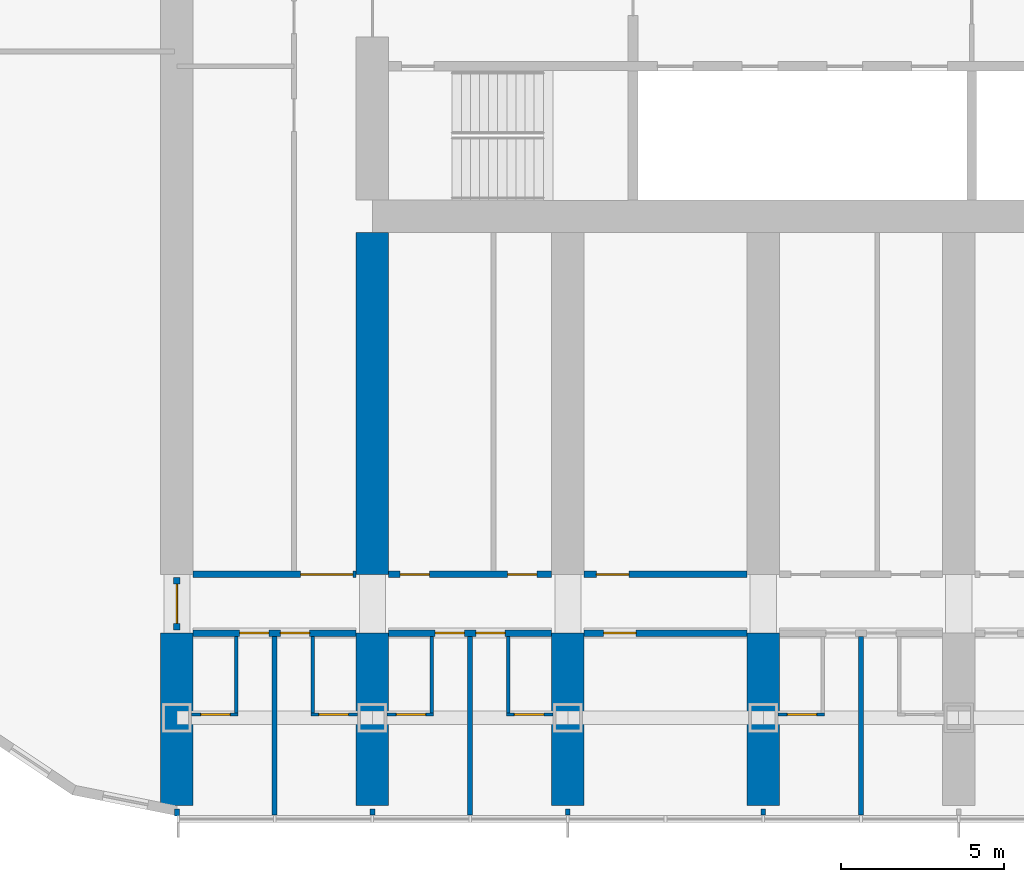
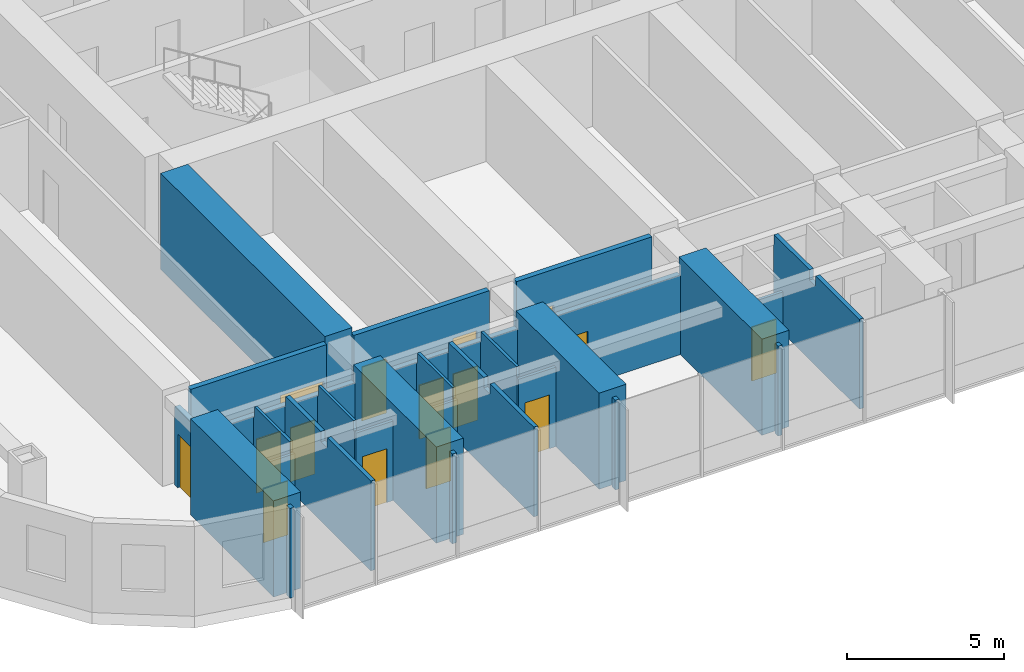
# One storey, part 12 of 28: 28 walls, 15 doors, 15 openings.
"""IFC4 building model written with IfcOpenShell, lengths in metres."""

from ifc_helpers import new_model, si_unit, direction, frame, frame_2d, origin, place, context, subcontext, project, spatial, polyline, rectangle, outline, extrude, material, layer, layer_set, type_object, element, fill, save


model = new_model("IFC4")

# Units and contexts
model_context = context("Model", 3, precision=1e-05, world=origin(), true_north=direction((0.0, 1.0)))
body_context = subcontext(model_context, "Body", "Model", "MODEL_VIEW")
ifc_project = project(units=[si_unit("LENGTHUNIT", "METRE"), si_unit("AREAUNIT", "SQUARE_METRE"), si_unit("VOLUMEUNIT", "CUBIC_METRE"), si_unit("PLANEANGLEUNIT", "RADIAN"), si_unit("MASSUNIT", "GRAM", prefix="KILO")], contexts=[model_context])

# Site, building, storey
site_placement = place(None, origin())
site = spatial("IfcSite", under=ifc_project, at=site_placement, CompositionType="ELEMENT")
building_placement = place(site_placement, origin())
building = spatial("IfcBuilding", under=site, at=building_placement, Name="Orbita Commons", CompositionType="ELEMENT")
storey_placement = place(building_placement, frame((0.0, 0.0, 23.949951171875)))
storey = spatial("IfcBuildingStorey", under=building, at=storey_placement, Name="L05", CompositionType="ELEMENT", Elevation=23.949951171875)

# Wall, openings, doors
ifc_material_1 = material(Name="Concrete blockwork", Category="masonry")
ifc_layer_1 = layer(ifc_material_1, 0.199951171875)
ifc_layer_set_1 = layer_set([ifc_layer_1], Name="Concrete blockwork")
wall_type_1 = type_object("IfcWallType", Name="Corridor wall 200 blockwork", PredefinedType="SOLIDWALL", material=ifc_layer_set_1)
wall_1_placement = place(storey_placement, frame((12.5, 13.0, 0.0), z_axis=(0.0, 0.0, 1.0), x_axis=(1.0, 0.0, 0.0)))
wall_1 = element("IfcWall", 1, at=wall_1_placement, inside=storey, type_object=wall_type_1, Name="Corridor wall 200 blockwork L05", PredefinedType="SOLIDWALL", context=body_context, shape_type="SweptSolid", body=[
    extrude(outline(polyline([(0.0, 0.0), (5.0, 0.0), (5.0, 3.10009765625), (0.0, 3.10009765625), (0.0, 0.0)])), frame((0.0, 0.10009765625, 0.0), z_axis=(0.0, -1.0, 0.0), x_axis=(1.0, 0.0, 0.0)), (0.0, 0.0, 1.0), 0.199951171875),
])
opening_1_placement = place(wall_1_placement, frame((1.425048828125, 0.0, 0.0)))
opening_1 = element("IfcOpeningElement", 2, at=opening_1_placement, cuts=wall_1, Name="Opening D11", PredefinedType="OPENING", context=body_context, shape_type="SweptSolid", body=[
    extrude(rectangle(XDim=0.89990234375, YDim=2.10009765625, at=frame_2d((0.449951171875, 1.050048828125))), frame((0.0, 0.10986328125, 0.0), z_axis=(0.0, -1.0, 0.0), x_axis=(1.0, 0.0, 0.0)), (0.0, 0.0, 1.0), 0.219970703125),
])
opening_2_placement = place(wall_1_placement, frame((2.675048828125, 0.0, 0.0)))
opening_2 = element("IfcOpeningElement", 3, at=opening_2_placement, cuts=wall_1, Name="Opening D11", PredefinedType="OPENING", context=body_context, shape_type="SweptSolid", body=[
    extrude(rectangle(XDim=0.89990234375, YDim=2.10009765625, at=frame_2d((0.449951171875, 1.050048828125))), frame((0.0, 0.10986328125, 0.0), z_axis=(0.0, -1.0, 0.0), x_axis=(1.0, 0.0, 0.0)), (0.0, 0.0, 1.0), 0.219970703125),
])
ifc_material_2 = material(Name="Steel-faced fire door leaf", Category="steel")
door_type_1 = type_object("IfcDoorType", Name="Corridor door 20 min 900x2100", OperationType="SINGLE_SWING_LEFT", PredefinedType="DOOR", material=ifc_material_2)
door_1_placement = place(opening_1_placement, origin())
door_1 = element("IfcDoor", 4, at=door_1_placement, inside=storey, type_object=door_type_1, Name="House bedroom L05-S00 door", OperationType="SINGLE_SWING_LEFT", OverallHeight=2.10009765625, OverallWidth=0.89990234375, PredefinedType="DOOR", context=body_context, shape_type="SweptSolid", body=[
    extrude(rectangle(XDim=0.89990234375, YDim=2.10009765625, at=frame_2d((0.449951171875, 1.050048828125))), frame((0.0, 0.02490234375, 0.0), z_axis=(0.0, -1.0, 0.0), x_axis=(1.0, 0.0, 0.0)), (0.0, 0.0, 1.0), 0.050048828125),
])
fill(opening_1, door_1)
door_2_placement = place(opening_2_placement, origin())
door_2 = element("IfcDoor", 5, at=door_2_placement, inside=storey, type_object=door_type_1, Name="House bedroom L05-S01 door", OperationType="SINGLE_SWING_LEFT", OverallHeight=2.10009765625, OverallWidth=0.89990234375, PredefinedType="DOOR", context=body_context, shape_type="SweptSolid", body=[
    extrude(rectangle(XDim=0.89990234375, YDim=2.10009765625, at=frame_2d((0.449951171875, 1.050048828125))), frame((0.0, 0.02490234375, 0.0), z_axis=(0.0, -1.0, 0.0), x_axis=(1.0, 0.0, 0.0)), (0.0, 0.0, 1.0), 0.050048828125),
])
fill(opening_2, door_2)

wall_2_placement = place(storey_placement, frame((18.5, 13.0, 0.0), z_axis=(0.0, 0.0, 1.0), x_axis=(1.0, 0.0, 0.0)))
wall_2 = element("IfcWall", 6, at=wall_2_placement, inside=storey, type_object=wall_type_1, Name="Corridor wall 200 blockwork L05", PredefinedType="SOLIDWALL", context=body_context, shape_type="SweptSolid", body=[
    extrude(outline(polyline([(0.0, 0.0), (5.0, 0.0), (5.0, 3.10009765625), (0.0, 3.10009765625), (0.0, 0.0)])), frame((0.0, 0.10009765625, 0.0), z_axis=(0.0, -1.0, 0.0), x_axis=(1.0, 0.0, 0.0)), (0.0, 0.0, 1.0), 0.199951171875),
])
opening_3_placement = place(wall_2_placement, frame((1.425048828125, 0.0, 0.0)))
opening_3 = element("IfcOpeningElement", 7, at=opening_3_placement, cuts=wall_2, Name="Opening D11", PredefinedType="OPENING", context=body_context, shape_type="SweptSolid", body=[
    extrude(rectangle(XDim=0.89990234375, YDim=2.10009765625, at=frame_2d((0.449951171875, 1.050048828125))), frame((0.0, 0.10986328125, 0.0), z_axis=(0.0, -1.0, 0.0), x_axis=(1.0, 0.0, 0.0)), (0.0, 0.0, 1.0), 0.219970703125),
])
opening_4_placement = place(wall_2_placement, frame((2.675048828125, 0.0, 0.0)))
opening_4 = element("IfcOpeningElement", 8, at=opening_4_placement, cuts=wall_2, Name="Opening D11", PredefinedType="OPENING", context=body_context, shape_type="SweptSolid", body=[
    extrude(rectangle(XDim=0.89990234375, YDim=2.10009765625, at=frame_2d((0.449951171875, 1.050048828125))), frame((0.0, 0.10986328125, 0.0), z_axis=(0.0, -1.0, 0.0), x_axis=(1.0, 0.0, 0.0)), (0.0, 0.0, 1.0), 0.219970703125),
])
door_3_placement = place(opening_3_placement, origin())
door_3 = element("IfcDoor", 9, at=door_3_placement, inside=storey, type_object=door_type_1, Name="House bedroom L05-S02 door", OperationType="SINGLE_SWING_LEFT", OverallHeight=2.10009765625, OverallWidth=0.89990234375, PredefinedType="DOOR", context=body_context, shape_type="SweptSolid", body=[
    extrude(rectangle(XDim=0.89990234375, YDim=2.10009765625, at=frame_2d((0.449951171875, 1.050048828125))), frame((0.0, 0.02490234375, 0.0), z_axis=(0.0, -1.0, 0.0), x_axis=(1.0, 0.0, 0.0)), (0.0, 0.0, 1.0), 0.050048828125),
])
fill(opening_3, door_3)
door_4_placement = place(opening_4_placement, origin())
door_4 = element("IfcDoor", 10, at=door_4_placement, inside=storey, type_object=door_type_1, Name="House bedroom L05-S03 door", OperationType="SINGLE_SWING_LEFT", OverallHeight=2.10009765625, OverallWidth=0.89990234375, PredefinedType="DOOR", context=body_context, shape_type="SweptSolid", body=[
    extrude(rectangle(XDim=0.89990234375, YDim=2.10009765625, at=frame_2d((0.449951171875, 1.050048828125))), frame((0.0, 0.02490234375, 0.0), z_axis=(0.0, -1.0, 0.0), x_axis=(1.0, 0.0, 0.0)), (0.0, 0.0, 1.0), 0.050048828125),
])
fill(opening_4, door_4)

# Wall, opening, door
wall_3_placement = place(storey_placement, frame((24.5, 13.0, 0.0), z_axis=(0.0, 0.0, 1.0), x_axis=(1.0, 0.0, 0.0)))
wall_3 = element("IfcWall", 11, at=wall_3_placement, inside=storey, type_object=wall_type_1, Name="Corridor wall 200 blockwork L05", PredefinedType="SOLIDWALL", context=body_context, shape_type="SweptSolid", body=[
    extrude(outline(polyline([(0.0, 0.0), (5.0, 0.0), (5.0, 3.10009765625), (0.0, 3.10009765625), (0.0, 0.0)])), frame((0.0, 0.10009765625, 0.0), z_axis=(0.0, -1.0, 0.0), x_axis=(1.0, 0.0, 0.0)), (0.0, 0.0, 1.0), 0.199951171875),
])
opening_5_placement = place(wall_3_placement, frame((0.60009765625, 0.0, 0.0)))
opening_5 = element("IfcOpeningElement", 12, at=opening_5_placement, cuts=wall_3, Name="Opening D06", PredefinedType="OPENING", context=body_context, shape_type="SweptSolid", body=[
    extrude(rectangle(XDim=1.0, YDim=2.10009765625, at=frame_2d((0.5, 1.050048828125))), frame((0.0, 0.10986328125, 0.0), z_axis=(0.0, -1.0, 0.0), x_axis=(1.0, 0.0, 0.0)), (0.0, 0.0, 1.0), 0.219970703125),
])
ifc_material_3 = material(Name="Steel-faced fire door leaf", Category="steel")
door_type_2 = type_object("IfcDoorType", Name="Corridor door 20 min 1000x2100", OperationType="SINGLE_SWING_LEFT", PredefinedType="DOOR", material=ifc_material_3)
door_5_placement = place(opening_5_placement, origin())
door_5 = element("IfcDoor", 13, at=door_5_placement, inside=storey, type_object=door_type_2, Name="House common room L05-S04 door", OperationType="SINGLE_SWING_LEFT", OverallHeight=2.10009765625, OverallWidth=1.0, PredefinedType="DOOR", context=body_context, shape_type="SweptSolid", body=[
    extrude(rectangle(XDim=1.0, YDim=2.10009765625, at=frame_2d((0.5, 1.050048828125))), frame((0.0, 0.02490234375, 0.0), z_axis=(0.0, -1.0, 0.0), x_axis=(1.0, 0.0, 0.0)), (0.0, 0.0, 1.0), 0.050048828125),
])
fill(opening_5, door_5)

wall_4_placement = place(storey_placement, frame((12.0, 13.10009765625, 0.0), z_axis=(0.0, 0.0, 1.0), x_axis=(0.0, 1.0, 0.0)))
wall_4 = element("IfcWall", 14, at=wall_4_placement, inside=storey, type_object=wall_type_1, Name="Corridor wall 200 blockwork L05", PredefinedType="SOLIDWALL", context=body_context, shape_type="SweptSolid", body=[
    extrude(outline(polyline([(0.0, 0.0), (1.599853515625, 0.0), (1.60009765625, 3.050048828125), (0.0, 3.050048828125), (0.0, 0.0)])), frame((0.0, 0.10009765625, 0.0), z_axis=(0.0, -1.0, 0.0), x_axis=(1.0, 0.0, 0.0)), (0.0, 0.0, 1.0), 0.199951171875),
])
opening_6_placement = place(wall_4_placement, frame((0.199951171875, 0.0, 0.0)))
opening_6 = element("IfcOpeningElement", 15, at=opening_6_placement, cuts=wall_4, Name="Opening D12", PredefinedType="OPENING", context=body_context, shape_type="SweptSolid", body=[
    extrude(rectangle(XDim=1.199951171875, YDim=2.10009765625, at=frame_2d((0.60009765625, 1.050048828125))), frame((0.0, 0.10986328125, 0.0), z_axis=(0.0, -1.0, 0.0), x_axis=(1.0, 0.0, 0.0)), (0.0, 0.0, 1.0), 0.219970703125),
])
ifc_material_4 = material(Name="Steel-faced fire door leaf", Category="steel")
door_type_3 = type_object("IfcDoorType", Name="Double corridor door 20 min 1200x2100", OperationType="DOUBLE_DOOR_SINGLE_SWING", PredefinedType="DOOR", material=ifc_material_4)
door_6_placement = place(opening_6_placement, origin())
door_6 = element("IfcDoor", 16, at=door_6_placement, inside=storey, type_object=door_type_3, Name="Lounge doors", OperationType="DOUBLE_DOOR_SINGLE_SWING", OverallHeight=2.10009765625, OverallWidth=1.199951171875, PredefinedType="DOOR", context=body_context, shape_type="SweptSolid", body=[
    extrude(rectangle(XDim=1.199951171875, YDim=2.10009765625, at=frame_2d((0.60009765625, 1.050048828125))), frame((0.0, 0.02490234375, 0.0), z_axis=(0.0, -1.0, 0.0), x_axis=(1.0, 0.0, 0.0)), (0.0, 0.0, 1.0), 0.050048828125),
])
fill(opening_6, door_6)

ifc_material_5 = material(Name="Hollow concrete block 200", Category="concrete")
ifc_layer_2 = layer(ifc_material_5, 0.199951171875)
ifc_layer_set_2 = layer_set([ifc_layer_2], Name="Hollow concrete block 200")
wall_type_2 = type_object("IfcWallType", Name="Corridor wall 200 hollow concrete block", PredefinedType="SOLIDWALL", material=ifc_layer_set_2)
wall_5_placement = place(storey_placement, frame((12.5, 14.800048828125, 0.0), z_axis=(0.0, 0.0, 1.0), x_axis=(1.0, 0.0, 0.0)))
wall_5 = element("IfcWall", 17, at=wall_5_placement, inside=storey, type_object=wall_type_2, Name="Corridor wall 200 hollow concrete block L05", PredefinedType="SOLIDWALL", context=body_context, shape_type="SweptSolid", body=[
    extrude(rectangle(XDim=5.0, YDim=0.199951171875, at=frame_2d((2.5, 0.0))), origin(), (0.0, 0.0, 1.0), 3.5),
])
opening_7_placement = place(wall_5_placement, frame((3.300048828125, 0.0, 0.0)))
opening_7 = element("IfcOpeningElement", 18, at=opening_7_placement, cuts=wall_5, Name="Opening D10", PredefinedType="OPENING", context=body_context, shape_type="SweptSolid", body=[
    extrude(rectangle(XDim=1.60009765625, YDim=2.10009765625, at=frame_2d((0.800048828125, 1.050048828125))), frame((0.0, 0.10986328125, 0.0), z_axis=(0.0, -1.0, 0.0), x_axis=(1.0, 0.0, 0.0)), (0.0, 0.0, 1.0), 0.219970703125),
])
ifc_material_6 = material(Name="Steel-faced fire door leaf", Category="steel")
door_type_4 = type_object("IfcDoorType", Name="Double corridor door 20 min 1600x2100", OperationType="DOUBLE_DOOR_SINGLE_SWING", PredefinedType="DOOR", material=ifc_material_6)
door_7_placement = place(opening_7_placement, origin())
door_7 = element("IfcDoor", 19, at=door_7_placement, inside=storey, type_object=door_type_4, Name="Cross corridor doors", OperationType="DOUBLE_DOOR_SINGLE_SWING", OverallHeight=2.10009765625, OverallWidth=1.60009765625, PredefinedType="DOOR", context=body_context, shape_type="SweptSolid", body=[
    extrude(rectangle(XDim=1.60009765625, YDim=2.10009765625, at=frame_2d((0.800048828125, 1.050048828125))), frame((0.0, 0.02490234375, 0.0), z_axis=(0.0, -1.0, 0.0), x_axis=(1.0, 0.0, 0.0)), (0.0, 0.0, 1.0), 0.050048828125),
])
fill(opening_7, door_7)

# Wall, openings, doors
wall_6_placement = place(storey_placement, frame((18.5, 14.800048828125, 0.0), z_axis=(0.0, 0.0, 1.0), x_axis=(1.0, 0.0, 0.0)))
wall_6 = element("IfcWall", 20, at=wall_6_placement, inside=storey, type_object=wall_type_2, Name="Corridor wall 200 hollow concrete block L05", PredefinedType="SOLIDWALL", context=body_context, shape_type="SweptSolid", body=[
    extrude(rectangle(XDim=5.0, YDim=0.199951171875, at=frame_2d((2.5, 0.0))), origin(), (0.0, 0.0, 1.0), 3.5),
])
opening_8_placement = place(wall_6_placement, frame((0.35009765625, 0.0, 0.0)))
opening_8 = element("IfcOpeningElement", 21, at=opening_8_placement, cuts=wall_6, Name="Opening D11", PredefinedType="OPENING", context=body_context, shape_type="SweptSolid", body=[
    extrude(rectangle(XDim=0.89990234375, YDim=2.10009765625, at=frame_2d((0.449951171875, 1.050048828125))), frame((0.0, 0.10986328125, 0.0), z_axis=(0.0, -1.0, 0.0), x_axis=(1.0, 0.0, 0.0)), (0.0, 0.0, 1.0), 0.219970703125),
])
opening_9_placement = place(wall_6_placement, frame((3.64990234375, 0.0, 0.0)))
opening_9 = element("IfcOpeningElement", 22, at=opening_9_placement, cuts=wall_6, Name="Opening D11", PredefinedType="OPENING", context=body_context, shape_type="SweptSolid", body=[
    extrude(rectangle(XDim=0.89990234375, YDim=2.10009765625, at=frame_2d((0.449951171875, 1.050048828125))), frame((0.0, 0.10986328125, 0.0), z_axis=(0.0, -1.0, 0.0), x_axis=(1.0, 0.0, 0.0)), (0.0, 0.0, 1.0), 0.219970703125),
])
door_8_placement = place(opening_8_placement, origin())
door_8 = element("IfcDoor", 23, at=door_8_placement, inside=storey, type_object=door_type_1, Name="Media room L05-BDS18 door", OperationType="SINGLE_SWING_LEFT", OverallHeight=2.10009765625, OverallWidth=0.89990234375, PredefinedType="DOOR", context=body_context, shape_type="SweptSolid", body=[
    extrude(rectangle(XDim=0.89990234375, YDim=2.10009765625, at=frame_2d((0.449951171875, 1.050048828125))), frame((0.0, 0.02490234375, 0.0), z_axis=(0.0, -1.0, 0.0), x_axis=(1.0, 0.0, 0.0)), (0.0, 0.0, 1.0), 0.050048828125),
])
fill(opening_8, door_8)
door_9_placement = place(opening_9_placement, origin())
door_9 = element("IfcDoor", 24, at=door_9_placement, inside=storey, type_object=door_type_1, Name="Accessible WC and shower room L05-BDS18n door", OperationType="SINGLE_SWING_LEFT", OverallHeight=2.10009765625, OverallWidth=0.89990234375, PredefinedType="DOOR", context=body_context, shape_type="SweptSolid", body=[
    extrude(rectangle(XDim=0.89990234375, YDim=2.10009765625, at=frame_2d((0.449951171875, 1.050048828125))), frame((0.0, 0.02490234375, 0.0), z_axis=(0.0, -1.0, 0.0), x_axis=(1.0, 0.0, 0.0)), (0.0, 0.0, 1.0), 0.050048828125),
])
fill(opening_9, door_9)

# Wall, opening, door
wall_7_placement = place(storey_placement, frame((24.5, 14.800048828125, 0.0), z_axis=(0.0, 0.0, 1.0), x_axis=(1.0, 0.0, 0.0)))
wall_7 = element("IfcWall", 25, at=wall_7_placement, inside=storey, type_object=wall_type_2, Name="Corridor wall 200 hollow concrete block L05", PredefinedType="SOLIDWALL", context=body_context, shape_type="SweptSolid", body=[
    extrude(rectangle(XDim=5.0, YDim=0.199951171875, at=frame_2d((2.5, 0.0))), origin(), (0.0, 0.0, 1.0), 3.5),
])
opening_10_placement = place(wall_7_placement, frame((0.375, 0.0, 0.0)))
opening_10 = element("IfcOpeningElement", 26, at=opening_10_placement, cuts=wall_7, Name="Opening D06", PredefinedType="OPENING", context=body_context, shape_type="SweptSolid", body=[
    extrude(rectangle(XDim=1.0, YDim=2.10009765625, at=frame_2d((0.5, 1.050048828125))), frame((0.0, 0.10986328125, 0.0), z_axis=(0.0, -1.0, 0.0), x_axis=(1.0, 0.0, 0.0)), (0.0, 0.0, 1.0), 0.219970703125),
])
door_10_placement = place(opening_10_placement, origin())
door_10 = element("IfcDoor", 27, at=door_10_placement, inside=storey, type_object=door_type_2, Name="Drying room L05-BDS24 door", OperationType="SINGLE_SWING_LEFT", OverallHeight=2.10009765625, OverallWidth=1.0, PredefinedType="DOOR", context=body_context, shape_type="SweptSolid", body=[
    extrude(rectangle(XDim=1.0, YDim=2.10009765625, at=frame_2d((0.5, 1.050048828125))), frame((0.0, 0.02490234375, 0.0), z_axis=(0.0, -1.0, 0.0), x_axis=(1.0, 0.0, 0.0)), (0.0, 0.0, 1.0), 0.050048828125),
])
fill(opening_10, door_10)

# Walls
ifc_material_7 = material(Name="Concrete C50/60", Category="concrete")
ifc_layer_3 = layer(ifc_material_7, 1.0)
ifc_layer_set_3 = layer_set([ifc_layer_3], Name="Concrete C50/60")
wall_type_3 = type_object("IfcWallType", Name="Cross wall 1000 C50/60", PredefinedType="SHEAR", material=ifc_layer_set_3)
for number, where, z_axis, x_axis, name in (
    (28, (12.0, 7.699951171875, 0.0), (0.0, 0.0, 1.0), (0.0, 1.0, 0.0), "Cross wall 3 south outer L05"),
    (29, (18.0, 7.699951171875, 0.0), (0.0, 0.0, 1.0), (0.0, 1.0, 0.0), "Cross wall 4 south outer L05"),
):
    element("IfcWall", number, at=place(storey_placement, frame(where, z_axis=z_axis, x_axis=x_axis)), inside=storey, type_object=wall_type_3, Name=name, PredefinedType="SHEAR", context=body_context, shape_type="SweptSolid", body=[
        extrude(rectangle(XDim=5.300048828125, YDim=1.0, at=frame_2d((2.64990234375, 0.0))), origin(), (0.0, 0.0, 1.0), 3.75),
    ])
wall_8_placement = place(storey_placement, frame((18.0, 14.800048828125, 0.0), z_axis=(0.0, 0.0, 1.0), x_axis=(0.0, 1.0, 0.0)))
element("IfcWall", 30, at=wall_8_placement, inside=storey, type_object=wall_type_3, Name="Cross wall 4 south inner L05", PredefinedType="SHEAR", context=body_context, shape_type="SweptSolid", body=[
    extrude(rectangle(XDim=10.5, YDim=1.0, at=frame_2d((5.25, 0.0))), origin(), (0.0, 0.0, 1.0), 3.75),
])
for number, where, z_axis, x_axis, name in (
    (31, (24.0, 7.699951171875, 0.0), (0.0, 0.0, 1.0), (0.0, 1.0, 0.0), "Cross wall 5 south outer L05"),
    (32, (30.0, 7.699951171875, 0.0), (0.0, 0.0, 1.0), (0.0, 1.0, 0.0), "Cross wall 6 south outer L05"),
):
    element("IfcWall", number, at=place(storey_placement, frame(where, z_axis=z_axis, x_axis=x_axis)), inside=storey, type_object=wall_type_3, Name=name, PredefinedType="SHEAR", context=body_context, shape_type="SweptSolid", body=[
        extrude(rectangle(XDim=5.300048828125, YDim=1.0, at=frame_2d((2.64990234375, 0.0))), origin(), (0.0, 0.0, 1.0), 3.75),
    ])

# Wall, opening, door
ifc_material_8 = material(Name="Moisture-resistant plasterboard on steel studs", Category="steel")
ifc_layer_4 = layer(ifc_material_8, 0.10009765625)
ifc_layer_set_4 = layer_set([ifc_layer_4], Name="Moisture-resistant plasterboard on steel studs")
wall_type_4 = type_object("IfcWallType", Name="En-suite partition 100", PredefinedType="PARTITIONING", material=ifc_layer_set_4)
wall_9_placement = place(storey_placement, frame((13.875, 10.5, 0.0), z_axis=(0.0, 0.0, 1.0), x_axis=(-1.0, 0.0, 0.0)))
wall_9 = element("IfcWall", 33, at=wall_9_placement, inside=storey, type_object=wall_type_4, Name="En-suite partition 100 L05", PredefinedType="PARTITIONING", context=body_context, shape_type="SweptSolid", body=[
    extrude(outline(polyline([(0.0, 0.0), (1.425048828125, 0.0), (1.425048828125, 3.10009765625), (0.0, 3.10009765625), (0.0, 0.0)])), frame((0.0, 0.050048828125, 0.0), z_axis=(0.0, -1.0, 0.0), x_axis=(1.0, 0.0, 0.0)), (0.0, 0.0, 1.0), 0.10009765625),
])
opening_11_placement = place(wall_9_placement, frame((0.237548828125, 0.0, 0.0)))
opening_11 = element("IfcOpeningElement", 34, at=opening_11_placement, cuts=wall_9, Name="Opening D09", PredefinedType="OPENING", context=body_context, shape_type="SweptSolid", body=[
    extrude(rectangle(XDim=0.89990234375, YDim=2.10009765625, at=frame_2d((0.449951171875, 1.050048828125))), frame((0.0, 0.06005859375, 0.0), z_axis=(0.0, -1.0, 0.0), x_axis=(1.0, 0.0, 0.0)), (0.0, 0.0, 1.0), 0.1201171875),
])
ifc_material_9 = material(Name="Laminated timber door leaf", Category="wood")
door_type_5 = type_object("IfcDoorType", Name="En-suite door 900x2100", OperationType="SINGLE_SWING_RIGHT", PredefinedType="DOOR", material=ifc_material_9)
door_11_placement = place(opening_11_placement, origin())
door_11 = element("IfcDoor", 35, at=door_11_placement, inside=storey, type_object=door_type_5, Name="En-suite L05-S00 door", OperationType="SINGLE_SWING_RIGHT", OverallHeight=2.10009765625, OverallWidth=0.89990234375, PredefinedType="DOOR", context=body_context, shape_type="SweptSolid", body=[
    extrude(rectangle(XDim=0.89990234375, YDim=2.10009765625, at=frame_2d((0.449951171875, 1.050048828125))), frame((0.0, 0.02490234375, 0.0), z_axis=(0.0, -1.0, 0.0), x_axis=(1.0, 0.0, 0.0)), (0.0, 0.0, 1.0), 0.050048828125),
])
fill(opening_11, door_11)

# Wall
wall_10_placement = place(storey_placement, frame((13.824951171875, 10.550048828125, 0.0), z_axis=(0.0, 0.0, 1.0), x_axis=(0.0, 1.0, 0.0)))
element("IfcWall", 36, at=wall_10_placement, inside=storey, type_object=wall_type_4, Name="En-suite partition 100 L05", PredefinedType="PARTITIONING", context=body_context, shape_type="SweptSolid", body=[
    extrude(outline(polyline([(0.0, 0.0), (2.349853515625, 0.0), (2.35009765625, 3.10009765625), (2.302001953125, 3.10009765625), (2.300048828125, 3.5), (0.052001953125, 3.5), (0.050048828125, 3.10009765625), (0.0, 3.10009765625), (0.0, 0.0)])), frame((0.0, 0.050048828125, 0.0), z_axis=(0.0, -1.0, 0.0), x_axis=(1.0, 0.0, 0.0)), (0.0, 0.0, 1.0), 0.10009765625),
])

# Wall, opening, door
wall_11_placement = place(storey_placement, frame((17.550048828125, 10.5, 0.0), z_axis=(0.0, 0.0, 1.0), x_axis=(-1.0, 0.0, 0.0)))
wall_11 = element("IfcWall", 37, at=wall_11_placement, inside=storey, type_object=wall_type_4, Name="En-suite partition 100 L05", PredefinedType="PARTITIONING", context=body_context, shape_type="SweptSolid", body=[
    extrude(outline(polyline([(0.0, 0.0), (1.425048828125, 0.0), (1.425048828125, 3.10009765625), (0.0, 3.10009765625), (0.0, 0.0)])), frame((0.0, 0.050048828125, 0.0), z_axis=(0.0, -1.0, 0.0), x_axis=(1.0, 0.0, 0.0)), (0.0, 0.0, 1.0), 0.10009765625),
])
opening_12_placement = place(wall_11_placement, frame((0.28759765625, 0.0, 0.0)))
opening_12 = element("IfcOpeningElement", 38, at=opening_12_placement, cuts=wall_11, Name="Opening D09", PredefinedType="OPENING", context=body_context, shape_type="SweptSolid", body=[
    extrude(rectangle(XDim=0.89990234375, YDim=2.10009765625, at=frame_2d((0.449951171875, 1.050048828125))), frame((0.0, 0.06005859375, 0.0), z_axis=(0.0, -1.0, 0.0), x_axis=(1.0, 0.0, 0.0)), (0.0, 0.0, 1.0), 0.1201171875),
])
door_12_placement = place(opening_12_placement, origin())
door_12 = element("IfcDoor", 39, at=door_12_placement, inside=storey, type_object=door_type_5, Name="En-suite L05-S01 door", OperationType="SINGLE_SWING_RIGHT", OverallHeight=2.10009765625, OverallWidth=0.89990234375, PredefinedType="DOOR", context=body_context, shape_type="SweptSolid", body=[
    extrude(rectangle(XDim=0.89990234375, YDim=2.10009765625, at=frame_2d((0.449951171875, 1.050048828125))), frame((0.0, 0.02490234375, 0.0), z_axis=(0.0, -1.0, 0.0), x_axis=(1.0, 0.0, 0.0)), (0.0, 0.0, 1.0), 0.050048828125),
])
fill(opening_12, door_12)

# Wall
wall_12_placement = place(storey_placement, frame((16.175048828125, 10.550048828125, 0.0), z_axis=(0.0, 0.0, 1.0), x_axis=(0.0, 1.0, 0.0)))
element("IfcWall", 40, at=wall_12_placement, inside=storey, type_object=wall_type_4, Name="En-suite partition 100 L05", PredefinedType="PARTITIONING", context=body_context, shape_type="SweptSolid", body=[
    extrude(outline(polyline([(0.0, 0.0), (2.349853515625, 0.0), (2.35009765625, 3.10009765625), (2.302001953125, 3.10009765625), (2.300048828125, 3.5), (0.052001953125, 3.5), (0.050048828125, 3.10009765625), (0.0, 3.10009765625), (0.0, 0.0)])), frame((0.0, 0.050048828125, 0.0), z_axis=(0.0, -1.0, 0.0), x_axis=(1.0, 0.0, 0.0)), (0.0, 0.0, 1.0), 0.10009765625),
])

# Wall, opening, door
wall_13_placement = place(storey_placement, frame((19.875, 10.5, 0.0), z_axis=(0.0, 0.0, 1.0), x_axis=(-1.0, 0.0, 0.0)))
wall_13 = element("IfcWall", 41, at=wall_13_placement, inside=storey, type_object=wall_type_4, Name="En-suite partition 100 L05", PredefinedType="PARTITIONING", context=body_context, shape_type="SweptSolid", body=[
    extrude(outline(polyline([(0.0, 0.0), (1.425048828125, 0.0), (1.425048828125, 3.10009765625), (0.0, 3.10009765625), (0.0, 0.0)])), frame((0.0, 0.050048828125, 0.0), z_axis=(0.0, -1.0, 0.0), x_axis=(1.0, 0.0, 0.0)), (0.0, 0.0, 1.0), 0.10009765625),
])
opening_13_placement = place(wall_13_placement, frame((0.237548828125, 0.0, 0.0)))
opening_13 = element("IfcOpeningElement", 42, at=opening_13_placement, cuts=wall_13, Name="Opening D09", PredefinedType="OPENING", context=body_context, shape_type="SweptSolid", body=[
    extrude(rectangle(XDim=0.89990234375, YDim=2.10009765625, at=frame_2d((0.449951171875, 1.050048828125))), frame((0.0, 0.06005859375, 0.0), z_axis=(0.0, -1.0, 0.0), x_axis=(1.0, 0.0, 0.0)), (0.0, 0.0, 1.0), 0.1201171875),
])
door_13_placement = place(opening_13_placement, origin())
door_13 = element("IfcDoor", 43, at=door_13_placement, inside=storey, type_object=door_type_5, Name="En-suite L05-S02 door", OperationType="SINGLE_SWING_RIGHT", OverallHeight=2.10009765625, OverallWidth=0.89990234375, PredefinedType="DOOR", context=body_context, shape_type="SweptSolid", body=[
    extrude(rectangle(XDim=0.89990234375, YDim=2.10009765625, at=frame_2d((0.449951171875, 1.050048828125))), frame((0.0, 0.02490234375, 0.0), z_axis=(0.0, -1.0, 0.0), x_axis=(1.0, 0.0, 0.0)), (0.0, 0.0, 1.0), 0.050048828125),
])
fill(opening_13, door_13)

# Wall
wall_14_placement = place(storey_placement, frame((19.824951171875, 10.550048828125, 0.0), z_axis=(0.0, 0.0, 1.0), x_axis=(0.0, 1.0, 0.0)))
element("IfcWall", 44, at=wall_14_placement, inside=storey, type_object=wall_type_4, Name="En-suite partition 100 L05", PredefinedType="PARTITIONING", context=body_context, shape_type="SweptSolid", body=[
    extrude(outline(polyline([(0.0, 0.0), (2.349853515625, 0.0), (2.35009765625, 3.10009765625), (2.302001953125, 3.10009765625), (2.300048828125, 3.5), (0.052001953125, 3.5), (0.050048828125, 3.10009765625), (0.0, 3.10009765625), (0.0, 0.0)])), frame((0.0, 0.050048828125, 0.0), z_axis=(0.0, -1.0, 0.0), x_axis=(1.0, 0.0, 0.0)), (0.0, 0.0, 1.0), 0.10009765625),
])

# Wall, opening, door
wall_15_placement = place(storey_placement, frame((23.550048828125, 10.5, 0.0), z_axis=(0.0, 0.0, 1.0), x_axis=(-1.0, 0.0, 0.0)))
wall_15 = element("IfcWall", 45, at=wall_15_placement, inside=storey, type_object=wall_type_4, Name="En-suite partition 100 L05", PredefinedType="PARTITIONING", context=body_context, shape_type="SweptSolid", body=[
    extrude(outline(polyline([(0.0, 0.0), (1.425048828125, 0.0), (1.425048828125, 3.10009765625), (0.0, 3.10009765625), (0.0, 0.0)])), frame((0.0, 0.050048828125, 0.0), z_axis=(0.0, -1.0, 0.0), x_axis=(1.0, 0.0, 0.0)), (0.0, 0.0, 1.0), 0.10009765625),
])
opening_14_placement = place(wall_15_placement, frame((0.28759765625, 0.0, 0.0)))
opening_14 = element("IfcOpeningElement", 46, at=opening_14_placement, cuts=wall_15, Name="Opening D09", PredefinedType="OPENING", context=body_context, shape_type="SweptSolid", body=[
    extrude(rectangle(XDim=0.89990234375, YDim=2.10009765625, at=frame_2d((0.449951171875, 1.050048828125))), frame((0.0, 0.06005859375, 0.0), z_axis=(0.0, -1.0, 0.0), x_axis=(1.0, 0.0, 0.0)), (0.0, 0.0, 1.0), 0.1201171875),
])
door_14_placement = place(opening_14_placement, origin())
door_14 = element("IfcDoor", 47, at=door_14_placement, inside=storey, type_object=door_type_5, Name="En-suite L05-S03 door", OperationType="SINGLE_SWING_RIGHT", OverallHeight=2.10009765625, OverallWidth=0.89990234375, PredefinedType="DOOR", context=body_context, shape_type="SweptSolid", body=[
    extrude(rectangle(XDim=0.89990234375, YDim=2.10009765625, at=frame_2d((0.449951171875, 1.050048828125))), frame((0.0, 0.02490234375, 0.0), z_axis=(0.0, -1.0, 0.0), x_axis=(1.0, 0.0, 0.0)), (0.0, 0.0, 1.0), 0.050048828125),
])
fill(opening_14, door_14)

# Wall
wall_16_placement = place(storey_placement, frame((22.175048828125, 10.550048828125, 0.0), z_axis=(0.0, 0.0, 1.0), x_axis=(0.0, 1.0, 0.0)))
element("IfcWall", 48, at=wall_16_placement, inside=storey, type_object=wall_type_4, Name="En-suite partition 100 L05", PredefinedType="PARTITIONING", context=body_context, shape_type="SweptSolid", body=[
    extrude(outline(polyline([(0.0, 0.0), (2.349853515625, 0.0), (2.35009765625, 3.10009765625), (2.302001953125, 3.10009765625), (2.300048828125, 3.5), (0.052001953125, 3.5), (0.050048828125, 3.10009765625), (0.0, 3.10009765625), (0.0, 0.0)])), frame((0.0, 0.050048828125, 0.0), z_axis=(0.0, -1.0, 0.0), x_axis=(1.0, 0.0, 0.0)), (0.0, 0.0, 1.0), 0.10009765625),
])

# Wall, opening, door
wall_17_placement = place(storey_placement, frame((31.875, 10.5, 0.0), z_axis=(0.0, 0.0, 1.0), x_axis=(-1.0, 0.0, 0.0)))
wall_17 = element("IfcWall", 49, at=wall_17_placement, inside=storey, type_object=wall_type_4, Name="En-suite partition 100 L05", PredefinedType="PARTITIONING", context=body_context, shape_type="SweptSolid", body=[
    extrude(outline(polyline([(0.0, 0.0), (1.425048828125, 0.0), (1.425048828125, 3.10009765625), (0.0, 3.10009765625), (0.0, 0.0)])), frame((0.0, 0.050048828125, 0.0), z_axis=(0.0, -1.0, 0.0), x_axis=(1.0, 0.0, 0.0)), (0.0, 0.0, 1.0), 0.10009765625),
])
opening_15_placement = place(wall_17_placement, frame((0.237548828125, 0.0, 0.0)))
opening_15 = element("IfcOpeningElement", 50, at=opening_15_placement, cuts=wall_17, Name="Opening D09", PredefinedType="OPENING", context=body_context, shape_type="SweptSolid", body=[
    extrude(rectangle(XDim=0.89990234375, YDim=2.10009765625, at=frame_2d((0.449951171875, 1.050048828125))), frame((0.0, 0.06005859375, 0.0), z_axis=(0.0, -1.0, 0.0), x_axis=(1.0, 0.0, 0.0)), (0.0, 0.0, 1.0), 0.1201171875),
])
door_15_placement = place(opening_15_placement, origin())
door_15 = element("IfcDoor", 51, at=door_15_placement, inside=storey, type_object=door_type_5, Name="En-suite L05-S06 door", OperationType="SINGLE_SWING_RIGHT", OverallHeight=2.10009765625, OverallWidth=0.89990234375, PredefinedType="DOOR", context=body_context, shape_type="SweptSolid", body=[
    extrude(rectangle(XDim=0.89990234375, YDim=2.10009765625, at=frame_2d((0.449951171875, 1.050048828125))), frame((0.0, 0.02490234375, 0.0), z_axis=(0.0, -1.0, 0.0), x_axis=(1.0, 0.0, 0.0)), (0.0, 0.0, 1.0), 0.050048828125),
])
fill(opening_15, door_15)

# Walls
ifc_material_10 = material(Name="Gypsum plasterboard on steel studs", Category="steel")
ifc_layer_5 = layer(ifc_material_10, 0.14990234375)
ifc_layer_set_5 = layer_set([ifc_layer_5], Name="Gypsum plasterboard on steel studs")
wall_type_5 = type_object("IfcWallType", Name="Partition 150 plasterboard", PredefinedType="PARTITIONING", material=ifc_layer_set_5)
wall_18_placement = place(storey_placement, frame((12.0, 7.60009765625, 0.0), z_axis=(0.0, 0.0, 1.0), x_axis=(0.0, -1.0, 0.0)))
element("IfcWall", 52, at=wall_18_placement, inside=storey, type_object=wall_type_5, Name="Partition 150 plasterboard L05", PredefinedType="PARTITIONING", context=body_context, shape_type="SweptSolid", body=[
    extrude(rectangle(XDim=0.22021484375, YDim=0.14990234375, at=frame_2d((0.110107421875, 0.0))), origin(), (0.0, 0.0, 1.0), 3.5),
])
for number, where, z_axis, x_axis, name in (
    (53, (18.0, 7.60009765625, 0.0), (0.0, 0.0, 1.0), (0.0, -1.0, 0.0), "Partition 150 plasterboard L05"),
    (54, (24.0, 7.60009765625, 0.0), (0.0, 0.0, 1.0), (0.0, -1.0, 0.0), "Partition 150 plasterboard L05"),
    (55, (30.0, 7.60009765625, 0.0), (0.0, 0.0, 1.0), (0.0, -1.0, 0.0), "Partition 150 plasterboard L05"),
):
    element("IfcWall", number, at=place(storey_placement, frame(where, z_axis=z_axis, x_axis=x_axis)), inside=storey, type_object=wall_type_5, Name=name, PredefinedType="PARTITIONING", context=body_context, shape_type="SweptSolid", body=[
        extrude(rectangle(XDim=0.190185546875, YDim=0.14990234375, at=frame_2d((0.09521484375, 0.0))), origin(), (0.0, 0.0, 1.0), 3.5),
    ])
ifc_material_11 = material(Name="Gypsum plasterboard on steel studs", Category="steel")
ifc_layer_6 = layer(ifc_material_11, 0.14990234375)
ifc_layer_set_6 = layer_set([ifc_layer_6], Name="Gypsum plasterboard on steel studs")
wall_type_6 = type_object("IfcWallType", Name="Party wall 150 plasterboard", PredefinedType="PARTITIONING", material=ifc_layer_set_6)
for number, where, z_axis, x_axis, name in (
    (56, (15.0, 7.409912109375, 0.0), (0.0, 0.0, 1.0), (0.0, 1.0, 0.0), "Party wall 150 plasterboard L05"),
    (57, (21.0, 7.409912109375, 0.0), (0.0, 0.0, 1.0), (0.0, 1.0, 0.0), "Party wall 150 plasterboard L05"),
    (58, (33.0, 7.409912109375, 0.0), (0.0, 0.0, 1.0), (0.0, 1.0, 0.0), "Party wall 150 plasterboard L05"),
):
    element("IfcWall", number, at=place(storey_placement, frame(where, z_axis=z_axis, x_axis=x_axis)), inside=storey, type_object=wall_type_6, Name=name, PredefinedType="PARTITIONING", context=body_context, shape_type="SweptSolid", body=[
        extrude(outline(polyline([(0.0, 0.0), (5.489990234375, 0.0), (5.489990234375, 3.10009765625), (5.44189453125, 3.10009765625), (5.43994140625, 3.5), (3.19189453125, 3.5), (3.18994140625, 3.10009765625), (2.7919921875, 3.10009765625), (2.7900390625, 3.5), (0.0, 3.5), (0.0, 0.0)])), frame((0.0, 0.074951171875, 0.0), z_axis=(0.0, -1.0, 0.0), x_axis=(1.0, 0.0, 0.0)), (0.0, 0.0, 1.0), 0.14990234375),
    ])

save(model, "model.ifc")
